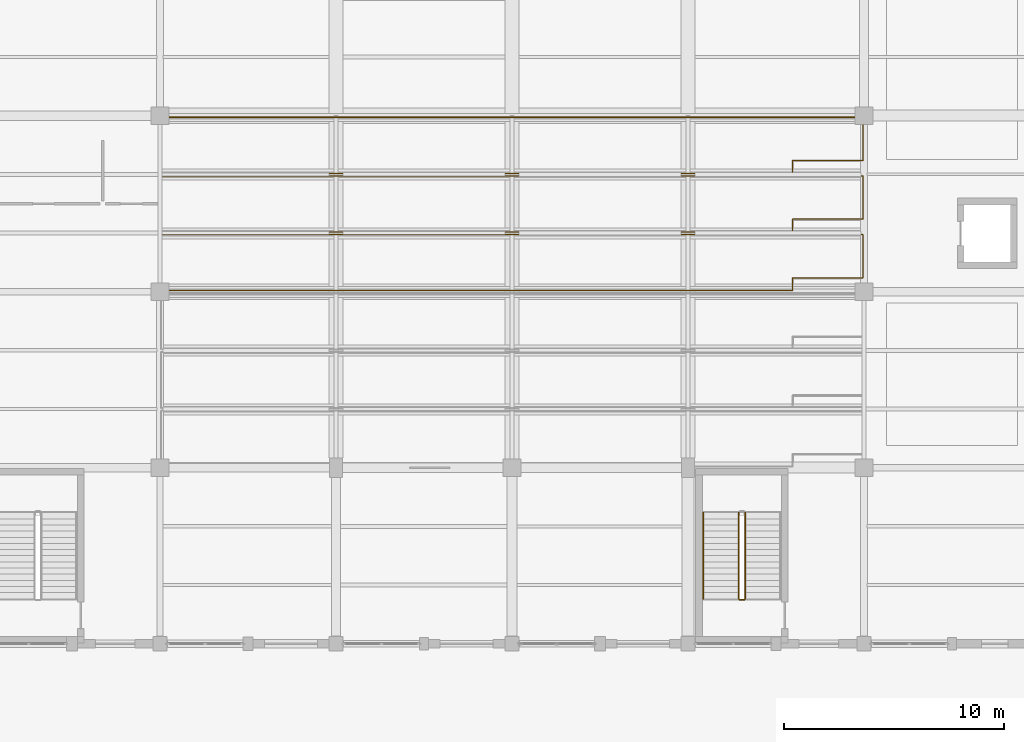
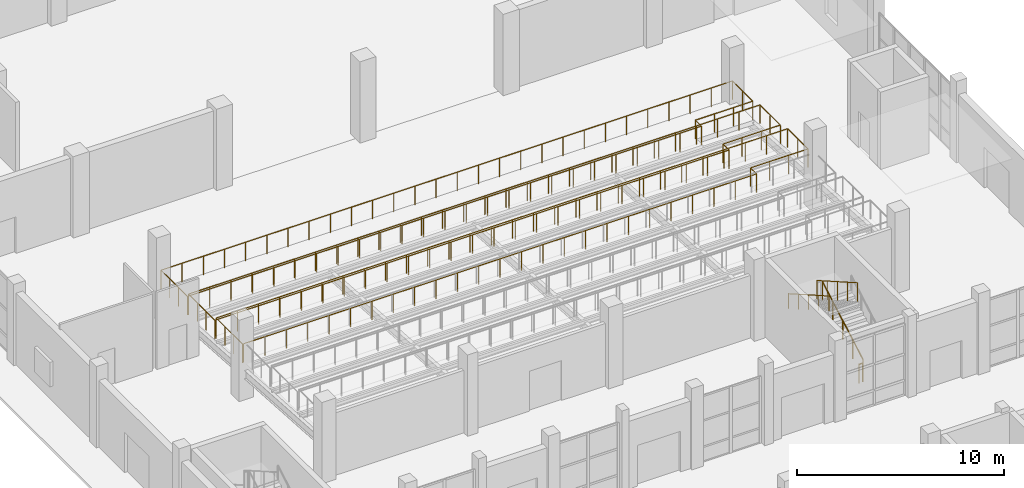
# One storey, part 140 of 156: 7 railings.
"""IFC4 building model written with IfcOpenShell, lengths in metres."""

from ifc_helpers import new_model, si_unit, direction, frame, origin, origin_2d, place, context, subcontext, project, spatial, circle, extrude, material, type_object, element, save


model = new_model("IFC4")

# Units and contexts
model_context = context("Model", 3, precision=1e-05, world=origin(), true_north=direction((0.0, 1.0)))
body_context = subcontext(model_context, "Body", "Model", "MODEL_VIEW")
ifc_project = project(units=[si_unit("LENGTHUNIT", "METRE"), si_unit("AREAUNIT", "SQUARE_METRE"), si_unit("VOLUMEUNIT", "CUBIC_METRE"), si_unit("PLANEANGLEUNIT", "RADIAN"), si_unit("MASSUNIT", "GRAM", prefix="KILO")], contexts=[model_context])

# Site, building, storey
site_placement = place(None, origin())
site = spatial("IfcSite", under=ifc_project, at=site_placement, CompositionType="ELEMENT")
building_placement = place(site_placement, origin())
building = spatial("IfcBuilding", under=site, at=building_placement, Name="Luwemba Playhouse", CompositionType="ELEMENT")
storey_placement = place(building_placement, origin())
storey = spatial("IfcBuildingStorey", under=building, at=storey_placement, Name="L00", CompositionType="ELEMENT", Elevation=0.0)

# Railings
ifc_material_1 = material(Name="Painted wrought-iron gallery balustrade", Category="steel")
railing_type_1 = type_object("IfcRailingType", Name="RLG-BAL-INT", PredefinedType="BALUSTRADE", material=ifc_material_1)
railing_1_placement = place(storey_placement, frame((38.60009765625, 38.0400390625, 0.159912109375)))
element("IfcRailing", 1, at=railing_1_placement, inside=storey, type_object=railing_type_1, Name="L00 ST-02 stair guard 1", PredefinedType="BALUSTRADE", context=body_context, shape_type="SweptSolid", body=[
    extrude(circle(Radius=0.02392578125, at=origin_2d()), frame((0.0, 0.0, 1.09619140625), z_axis=(0.0, 0.868239814368, 0.496144761885), x_axis=(-1.0, 0.0, 0.0)), (0.0, 0.0, 1.0), 4.514892578125),
    extrude(circle(Radius=0.02099609375, at=origin_2d()), origin(), (0.0, 0.0, 1.0), 1.072021484375),
    extrude(circle(Radius=0.02099609375, at=origin_2d()), frame((0.0, 0.97998046875, 0.56005859375)), (0.0, 0.0, 1.0), 1.072021484375),
    extrude(circle(Radius=0.02099609375, at=origin_2d()), frame((0.0, 1.9599609375, 1.1201171875)), (0.0, 0.0, 1.0), 1.072021484375),
    extrude(circle(Radius=0.02099609375, at=origin_2d()), frame((0.0, 2.93994140625, 1.679931640625)), (0.0, 0.0, 1.0), 1.072021484375),
    extrude(circle(Radius=0.02099609375, at=origin_2d()), frame((0.0, 3.919921875, 2.239990234375)), (0.0, 0.0, 1.0), 1.072021484375),
])
railing_2_placement = place(storey_placement, frame((38.300048828125, 41.9599609375, 2.56005859375)))
element("IfcRailing", 2, at=railing_2_placement, inside=storey, type_object=railing_type_1, Name="L00 ST-02 stair guard 3", PredefinedType="BALUSTRADE", context=body_context, shape_type="SweptSolid", body=[
    extrude(circle(Radius=0.02392578125, at=origin_2d()), frame((0.0, 0.0, 1.09619140625), z_axis=(0.0, -0.868239814368, 0.496144761885), x_axis=(1.0, 0.0, 0.0)), (0.0, 0.0, 1.0), 4.514892578125),
    extrude(circle(Radius=0.02099609375, at=origin_2d()), origin(), (0.0, 0.0, 1.0), 1.072021484375),
    extrude(circle(Radius=0.02099609375, at=origin_2d()), frame((0.0, -0.97998046875, 0.56005859375)), (0.0, 0.0, 1.0), 1.072021484375),
    extrude(circle(Radius=0.02099609375, at=origin_2d()), frame((0.0, -1.9599609375, 1.1201171875)), (0.0, 0.0, 1.0), 1.072021484375),
    extrude(circle(Radius=0.02099609375, at=origin_2d()), frame((0.0, -2.93994140625, 1.679931640625)), (0.0, 0.0, 1.0), 1.072021484375),
    extrude(circle(Radius=0.02099609375, at=origin_2d()), frame((0.0, -3.919921875, 2.239990234375)), (0.0, 0.0, 1.0), 1.072021484375),
])
railing_3_placement = place(storey_placement, frame((38.550048828125, 37.989990234375, 0.0)))
element("IfcRailing", 3, at=railing_3_placement, inside=storey, type_object=railing_type_1, Name="L00 ST-02 stair guard 4", PredefinedType="BALUSTRADE", context=body_context, shape_type="SweptSolid", body=[
    extrude(circle(Radius=0.02392578125, at=origin_2d()), frame((0.0, 0.0, 1.09619140625), z_axis=(-1.0, 0.0, 0.0), x_axis=(0.0, -1.0, 0.0)), (0.0, 0.0, 1.0), 0.199951171875),
    extrude(circle(Radius=0.02099609375, at=origin_2d()), origin(), (0.0, 0.0, 1.0), 1.072021484375),
    extrude(circle(Radius=0.02099609375, at=origin_2d()), frame((-0.199951171875, 0.0, 0.0)), (0.0, 0.0, 1.0), 1.072021484375),
])
railing_4_placement = place(storey_placement, frame((12.050048828125, 52.050048828125, 1.875)))
element("IfcRailing", 4, at=railing_4_placement, inside=storey, type_object=railing_type_1, Name="Stand Stalls Bay 4 perimeter balustrade", PredefinedType="BALUSTRADE", context=body_context, shape_type="SweptSolid", body=[
    extrude(circle(Radius=0.02392578125, at=origin_2d()), frame((0.0, 0.0, 1.09619140625), z_axis=(0.0, 1.0, 0.0), x_axis=(-1.0, 0.0, 0.0)), (0.0, 0.0, 1.0), 2.546630859375),
    extrude(circle(Radius=0.02392578125, at=origin_2d()), frame((0.0, 2.546630859375, 1.09619140625), z_axis=(1.0, 0.0, 0.0), x_axis=(0.0, 1.0, 0.0)), (0.0, 0.0, 1.0), 31.89990234375),
    extrude(circle(Radius=0.02392578125, at=origin_2d()), frame((31.89990234375, 2.546630859375, 1.09619140625), z_axis=(0.0, -1.0, 0.0), x_axis=(1.0, 0.0, 0.0)), (0.0, 0.0, 1.0), 1.96435546875),
    extrude(circle(Radius=0.02392578125, at=origin_2d()), frame((31.89990234375, 0.582275390625, 1.09619140625), z_axis=(-1.0, 0.0, 0.0), x_axis=(0.0, -1.0, 0.0)), (0.0, 0.0, 1.0), 3.199951171875),
    extrude(circle(Radius=0.02392578125, at=origin_2d()), frame((28.699951171875, 0.582275390625, 1.09619140625), z_axis=(0.0, -1.0, 0.0), x_axis=(1.0, 0.0, 0.0)), (0.0, 0.0, 1.0), 0.582275390625),
    extrude(circle(Radius=0.02392578125, at=origin_2d()), frame((28.699951171875, 0.0, 1.09619140625), z_axis=(-1.0, 0.0, 0.0), x_axis=(0.0, -1.0, 0.0)), (0.0, 0.0, 1.0), 28.639892578125),
    extrude(circle(Radius=0.02099609375, at=origin_2d()), origin(), (0.0, 0.0, 1.0), 1.072021484375),
    extrude(circle(Radius=0.02099609375, at=origin_2d()), frame((0.0, 0.848876953125, 0.0)), (0.0, 0.0, 1.0), 1.072021484375),
    extrude(circle(Radius=0.02099609375, at=origin_2d()), frame((0.0, 1.69775390625, 0.0)), (0.0, 0.0, 1.0), 1.072021484375),
    extrude(circle(Radius=0.02099609375, at=origin_2d()), frame((0.0, 2.546630859375, 0.0)), (0.0, 0.0, 1.0), 1.072021484375),
    extrude(circle(Radius=0.02099609375, at=origin_2d()), frame((1.181396484375, 2.546630859375, 0.0)), (0.0, 0.0, 1.0), 1.072021484375),
    extrude(circle(Radius=0.02099609375, at=origin_2d()), frame((2.363037109375, 2.546630859375, 0.0)), (0.0, 0.0, 1.0), 1.072021484375),
    extrude(circle(Radius=0.02099609375, at=origin_2d()), frame((3.54443359375, 2.546630859375, 0.0)), (0.0, 0.0, 1.0), 1.072021484375),
    extrude(circle(Radius=0.02099609375, at=origin_2d()), frame((4.725830078125, 2.546630859375, 0.0)), (0.0, 0.0, 1.0), 1.072021484375),
    extrude(circle(Radius=0.02099609375, at=origin_2d()), frame((5.907470703125, 2.546630859375, 0.0)), (0.0, 0.0, 1.0), 1.072021484375),
    extrude(circle(Radius=0.02099609375, at=origin_2d()), frame((7.0888671875, 2.546630859375, 0.0)), (0.0, 0.0, 1.0), 1.072021484375),
    extrude(circle(Radius=0.02099609375, at=origin_2d()), frame((8.270263671875, 2.546630859375, 0.0)), (0.0, 0.0, 1.0), 1.072021484375),
    extrude(circle(Radius=0.02099609375, at=origin_2d()), frame((9.451904296875, 2.546630859375, 0.0)), (0.0, 0.0, 1.0), 1.072021484375),
    extrude(circle(Radius=0.02099609375, at=origin_2d()), frame((10.63330078125, 2.546630859375, 0.0)), (0.0, 0.0, 1.0), 1.072021484375),
    extrude(circle(Radius=0.02099609375, at=origin_2d()), frame((11.814697265625, 2.546630859375, 0.0)), (0.0, 0.0, 1.0), 1.072021484375),
    extrude(circle(Radius=0.02099609375, at=origin_2d()), frame((12.996337890625, 2.546630859375, 0.0)), (0.0, 0.0, 1.0), 1.072021484375),
    extrude(circle(Radius=0.02099609375, at=origin_2d()), frame((14.177734375, 2.546630859375, 0.0)), (0.0, 0.0, 1.0), 1.072021484375),
    extrude(circle(Radius=0.02099609375, at=origin_2d()), frame((15.359130859375, 2.546630859375, 0.0)), (0.0, 0.0, 1.0), 1.072021484375),
    extrude(circle(Radius=0.02099609375, at=origin_2d()), frame((16.540771484375, 2.546630859375, 0.0)), (0.0, 0.0, 1.0), 1.072021484375),
    extrude(circle(Radius=0.02099609375, at=origin_2d()), frame((17.72216796875, 2.546630859375, 0.0)), (0.0, 0.0, 1.0), 1.072021484375),
    extrude(circle(Radius=0.02099609375, at=origin_2d()), frame((18.903564453125, 2.546630859375, 0.0)), (0.0, 0.0, 1.0), 1.072021484375),
    extrude(circle(Radius=0.02099609375, at=origin_2d()), frame((20.085205078125, 2.546630859375, 0.0)), (0.0, 0.0, 1.0), 1.072021484375),
    extrude(circle(Radius=0.02099609375, at=origin_2d()), frame((21.2666015625, 2.546630859375, 0.0)), (0.0, 0.0, 1.0), 1.072021484375),
    extrude(circle(Radius=0.02099609375, at=origin_2d()), frame((22.447998046875, 2.546630859375, 0.0)), (0.0, 0.0, 1.0), 1.072021484375),
    extrude(circle(Radius=0.02099609375, at=origin_2d()), frame((23.629638671875, 2.546630859375, 0.0)), (0.0, 0.0, 1.0), 1.072021484375),
    extrude(circle(Radius=0.02099609375, at=origin_2d()), frame((24.81103515625, 2.546630859375, 0.0)), (0.0, 0.0, 1.0), 1.072021484375),
    extrude(circle(Radius=0.02099609375, at=origin_2d()), frame((25.992431640625, 2.546630859375, 0.0)), (0.0, 0.0, 1.0), 1.072021484375),
    extrude(circle(Radius=0.02099609375, at=origin_2d()), frame((27.174072265625, 2.546630859375, 0.0)), (0.0, 0.0, 1.0), 1.072021484375),
    extrude(circle(Radius=0.02099609375, at=origin_2d()), frame((28.35546875, 2.546630859375, 0.0)), (0.0, 0.0, 1.0), 1.072021484375),
    extrude(circle(Radius=0.02099609375, at=origin_2d()), frame((29.536865234375, 2.546630859375, 0.0)), (0.0, 0.0, 1.0), 1.072021484375),
    extrude(circle(Radius=0.02099609375, at=origin_2d()), frame((30.718505859375, 2.546630859375, 0.0)), (0.0, 0.0, 1.0), 1.072021484375),
    extrude(circle(Radius=0.02099609375, at=origin_2d()), frame((31.89990234375, 2.546630859375, 0.0)), (0.0, 0.0, 1.0), 1.072021484375),
    extrude(circle(Radius=0.02099609375, at=origin_2d()), frame((31.89990234375, 1.564453125, 0.0)), (0.0, 0.0, 1.0), 1.072021484375),
    extrude(circle(Radius=0.02099609375, at=origin_2d()), frame((31.89990234375, 0.582275390625, 0.0)), (0.0, 0.0, 1.0), 1.072021484375),
    extrude(circle(Radius=0.02099609375, at=origin_2d()), frame((30.833251953125, 0.582275390625, 0.0)), (0.0, 0.0, 1.0), 1.072021484375),
    extrude(circle(Radius=0.02099609375, at=origin_2d()), frame((29.7666015625, 0.582275390625, 0.0)), (0.0, 0.0, 1.0), 1.072021484375),
    extrude(circle(Radius=0.02099609375, at=origin_2d()), frame((28.699951171875, 0.582275390625, 0.0)), (0.0, 0.0, 1.0), 1.072021484375),
    extrude(circle(Radius=0.02099609375, at=origin_2d()), frame((28.699951171875, 0.0, 0.0)), (0.0, 0.0, 1.0), 1.072021484375),
    extrude(circle(Radius=0.02099609375, at=origin_2d()), frame((27.506591796875, 0.0, 0.0)), (0.0, 0.0, 1.0), 1.072021484375),
    extrude(circle(Radius=0.02099609375, at=origin_2d()), frame((26.313232421875, 0.0, 0.0)), (0.0, 0.0, 1.0), 1.072021484375),
    extrude(circle(Radius=0.02099609375, at=origin_2d()), frame((25.119873046875, 0.0, 0.0)), (0.0, 0.0, 1.0), 1.072021484375),
    extrude(circle(Radius=0.02099609375, at=origin_2d()), frame((23.9267578125, 0.0, 0.0)), (0.0, 0.0, 1.0), 1.072021484375),
    extrude(circle(Radius=0.02099609375, at=origin_2d()), frame((22.7333984375, 0.0, 0.0)), (0.0, 0.0, 1.0), 1.072021484375),
    extrude(circle(Radius=0.02099609375, at=origin_2d()), frame((21.5400390625, 0.0, 0.0)), (0.0, 0.0, 1.0), 1.072021484375),
    extrude(circle(Radius=0.02099609375, at=origin_2d()), frame((20.3466796875, 0.0, 0.0)), (0.0, 0.0, 1.0), 1.072021484375),
    extrude(circle(Radius=0.02099609375, at=origin_2d()), frame((19.1533203125, 0.0, 0.0)), (0.0, 0.0, 1.0), 1.072021484375),
    extrude(circle(Radius=0.02099609375, at=origin_2d()), frame((17.9599609375, 0.0, 0.0)), (0.0, 0.0, 1.0), 1.072021484375),
    extrude(circle(Radius=0.02099609375, at=origin_2d()), frame((16.7666015625, 0.0, 0.0)), (0.0, 0.0, 1.0), 1.072021484375),
    extrude(circle(Radius=0.02099609375, at=origin_2d()), frame((15.5732421875, 0.0, 0.0)), (0.0, 0.0, 1.0), 1.072021484375),
    extrude(circle(Radius=0.02099609375, at=origin_2d()), frame((14.3798828125, 0.0, 0.0)), (0.0, 0.0, 1.0), 1.072021484375),
    extrude(circle(Radius=0.02099609375, at=origin_2d()), frame((13.186767578125, 0.0, 0.0)), (0.0, 0.0, 1.0), 1.072021484375),
    extrude(circle(Radius=0.02099609375, at=origin_2d()), frame((11.993408203125, 0.0, 0.0)), (0.0, 0.0, 1.0), 1.072021484375),
    extrude(circle(Radius=0.02099609375, at=origin_2d()), frame((10.800048828125, 0.0, 0.0)), (0.0, 0.0, 1.0), 1.072021484375),
    extrude(circle(Radius=0.02099609375, at=origin_2d()), frame((9.606689453125, 0.0, 0.0)), (0.0, 0.0, 1.0), 1.072021484375),
    extrude(circle(Radius=0.02099609375, at=origin_2d()), frame((8.413330078125, 0.0, 0.0)), (0.0, 0.0, 1.0), 1.072021484375),
    extrude(circle(Radius=0.02099609375, at=origin_2d()), frame((7.219970703125, 0.0, 0.0)), (0.0, 0.0, 1.0), 1.072021484375),
    extrude(circle(Radius=0.02099609375, at=origin_2d()), frame((6.026611328125, 0.0, 0.0)), (0.0, 0.0, 1.0), 1.072021484375),
    extrude(circle(Radius=0.02099609375, at=origin_2d()), frame((4.83349609375, 0.0, 0.0)), (0.0, 0.0, 1.0), 1.072021484375),
    extrude(circle(Radius=0.02099609375, at=origin_2d()), frame((3.64013671875, 0.0, 0.0)), (0.0, 0.0, 1.0), 1.072021484375),
    extrude(circle(Radius=0.02099609375, at=origin_2d()), frame((2.44677734375, 0.0, 0.0)), (0.0, 0.0, 1.0), 1.072021484375),
    extrude(circle(Radius=0.02099609375, at=origin_2d()), frame((1.25341796875, 0.0, 0.0)), (0.0, 0.0, 1.0), 1.072021484375),
    extrude(circle(Radius=0.02099609375, at=origin_2d()), frame((0.06005859375, 0.0, 0.0)), (0.0, 0.0, 1.0), 1.072021484375),
])
railing_5_placement = place(storey_placement, frame((12.050048828125, 54.716796875, 1.666748046875)))
element("IfcRailing", 5, at=railing_5_placement, inside=storey, type_object=railing_type_1, Name="Stand Stalls Bay 5 perimeter balustrade", PredefinedType="BALUSTRADE", context=body_context, shape_type="SweptSolid", body=[
    extrude(circle(Radius=0.02392578125, at=origin_2d()), frame((0.0, 0.0, 1.09619140625), z_axis=(0.0, 1.0, 0.0), x_axis=(-1.0, 0.0, 0.0)), (0.0, 0.0, 1.0), 2.546630859375),
    extrude(circle(Radius=0.02392578125, at=origin_2d()), frame((0.0, 2.546630859375, 1.09619140625), z_axis=(1.0, 0.0, 0.0), x_axis=(0.0, 1.0, 0.0)), (0.0, 0.0, 1.0), 31.89990234375),
    extrude(circle(Radius=0.02392578125, at=origin_2d()), frame((31.89990234375, 2.546630859375, 1.09619140625), z_axis=(0.0, -1.0, 0.0), x_axis=(1.0, 0.0, 0.0)), (0.0, 0.0, 1.0), 1.96435546875),
    extrude(circle(Radius=0.02392578125, at=origin_2d()), frame((31.89990234375, 0.582275390625, 1.09619140625), z_axis=(-1.0, 0.0, 0.0), x_axis=(0.0, -1.0, 0.0)), (0.0, 0.0, 1.0), 3.199951171875),
    extrude(circle(Radius=0.02392578125, at=origin_2d()), frame((28.699951171875, 0.582275390625, 1.09619140625), z_axis=(0.0, -1.0, 0.0), x_axis=(1.0, 0.0, 0.0)), (0.0, 0.0, 1.0), 0.582275390625),
    extrude(circle(Radius=0.02392578125, at=origin_2d()), frame((28.699951171875, 0.0, 1.09619140625), z_axis=(-1.0, 0.0, 0.0), x_axis=(0.0, -1.0, 0.0)), (0.0, 0.0, 1.0), 28.639892578125),
    extrude(circle(Radius=0.02099609375, at=origin_2d()), origin(), (0.0, 0.0, 1.0), 1.072021484375),
    extrude(circle(Radius=0.02099609375, at=origin_2d()), frame((0.0, 0.848876953125, 0.0)), (0.0, 0.0, 1.0), 1.072021484375),
    extrude(circle(Radius=0.02099609375, at=origin_2d()), frame((0.0, 1.69775390625, 0.0)), (0.0, 0.0, 1.0), 1.072021484375),
    extrude(circle(Radius=0.02099609375, at=origin_2d()), frame((0.0, 2.546630859375, 0.0)), (0.0, 0.0, 1.0), 1.072021484375),
    extrude(circle(Radius=0.02099609375, at=origin_2d()), frame((1.181396484375, 2.546630859375, 0.0)), (0.0, 0.0, 1.0), 1.072021484375),
    extrude(circle(Radius=0.02099609375, at=origin_2d()), frame((2.363037109375, 2.546630859375, 0.0)), (0.0, 0.0, 1.0), 1.072021484375),
    extrude(circle(Radius=0.02099609375, at=origin_2d()), frame((3.54443359375, 2.546630859375, 0.0)), (0.0, 0.0, 1.0), 1.072021484375),
    extrude(circle(Radius=0.02099609375, at=origin_2d()), frame((4.725830078125, 2.546630859375, 0.0)), (0.0, 0.0, 1.0), 1.072021484375),
    extrude(circle(Radius=0.02099609375, at=origin_2d()), frame((5.907470703125, 2.546630859375, 0.0)), (0.0, 0.0, 1.0), 1.072021484375),
    extrude(circle(Radius=0.02099609375, at=origin_2d()), frame((7.0888671875, 2.546630859375, 0.0)), (0.0, 0.0, 1.0), 1.072021484375),
    extrude(circle(Radius=0.02099609375, at=origin_2d()), frame((8.270263671875, 2.546630859375, 0.0)), (0.0, 0.0, 1.0), 1.072021484375),
    extrude(circle(Radius=0.02099609375, at=origin_2d()), frame((9.451904296875, 2.546630859375, 0.0)), (0.0, 0.0, 1.0), 1.072021484375),
    extrude(circle(Radius=0.02099609375, at=origin_2d()), frame((10.63330078125, 2.546630859375, 0.0)), (0.0, 0.0, 1.0), 1.072021484375),
    extrude(circle(Radius=0.02099609375, at=origin_2d()), frame((11.814697265625, 2.546630859375, 0.0)), (0.0, 0.0, 1.0), 1.072021484375),
    extrude(circle(Radius=0.02099609375, at=origin_2d()), frame((12.996337890625, 2.546630859375, 0.0)), (0.0, 0.0, 1.0), 1.072021484375),
    extrude(circle(Radius=0.02099609375, at=origin_2d()), frame((14.177734375, 2.546630859375, 0.0)), (0.0, 0.0, 1.0), 1.072021484375),
    extrude(circle(Radius=0.02099609375, at=origin_2d()), frame((15.359130859375, 2.546630859375, 0.0)), (0.0, 0.0, 1.0), 1.072021484375),
    extrude(circle(Radius=0.02099609375, at=origin_2d()), frame((16.540771484375, 2.546630859375, 0.0)), (0.0, 0.0, 1.0), 1.072021484375),
    extrude(circle(Radius=0.02099609375, at=origin_2d()), frame((17.72216796875, 2.546630859375, 0.0)), (0.0, 0.0, 1.0), 1.072021484375),
    extrude(circle(Radius=0.02099609375, at=origin_2d()), frame((18.903564453125, 2.546630859375, 0.0)), (0.0, 0.0, 1.0), 1.072021484375),
    extrude(circle(Radius=0.02099609375, at=origin_2d()), frame((20.085205078125, 2.546630859375, 0.0)), (0.0, 0.0, 1.0), 1.072021484375),
    extrude(circle(Radius=0.02099609375, at=origin_2d()), frame((21.2666015625, 2.546630859375, 0.0)), (0.0, 0.0, 1.0), 1.072021484375),
    extrude(circle(Radius=0.02099609375, at=origin_2d()), frame((22.447998046875, 2.546630859375, 0.0)), (0.0, 0.0, 1.0), 1.072021484375),
    extrude(circle(Radius=0.02099609375, at=origin_2d()), frame((23.629638671875, 2.546630859375, 0.0)), (0.0, 0.0, 1.0), 1.072021484375),
    extrude(circle(Radius=0.02099609375, at=origin_2d()), frame((24.81103515625, 2.546630859375, 0.0)), (0.0, 0.0, 1.0), 1.072021484375),
    extrude(circle(Radius=0.02099609375, at=origin_2d()), frame((25.992431640625, 2.546630859375, 0.0)), (0.0, 0.0, 1.0), 1.072021484375),
    extrude(circle(Radius=0.02099609375, at=origin_2d()), frame((27.174072265625, 2.546630859375, 0.0)), (0.0, 0.0, 1.0), 1.072021484375),
    extrude(circle(Radius=0.02099609375, at=origin_2d()), frame((28.35546875, 2.546630859375, 0.0)), (0.0, 0.0, 1.0), 1.072021484375),
    extrude(circle(Radius=0.02099609375, at=origin_2d()), frame((29.536865234375, 2.546630859375, 0.0)), (0.0, 0.0, 1.0), 1.072021484375),
    extrude(circle(Radius=0.02099609375, at=origin_2d()), frame((30.718505859375, 2.546630859375, 0.0)), (0.0, 0.0, 1.0), 1.072021484375),
    extrude(circle(Radius=0.02099609375, at=origin_2d()), frame((31.89990234375, 2.546630859375, 0.0)), (0.0, 0.0, 1.0), 1.072021484375),
    extrude(circle(Radius=0.02099609375, at=origin_2d()), frame((31.89990234375, 1.564453125, 0.0)), (0.0, 0.0, 1.0), 1.072021484375),
    extrude(circle(Radius=0.02099609375, at=origin_2d()), frame((31.89990234375, 0.582275390625, 0.0)), (0.0, 0.0, 1.0), 1.072021484375),
    extrude(circle(Radius=0.02099609375, at=origin_2d()), frame((30.833251953125, 0.582275390625, 0.0)), (0.0, 0.0, 1.0), 1.072021484375),
    extrude(circle(Radius=0.02099609375, at=origin_2d()), frame((29.7666015625, 0.582275390625, 0.0)), (0.0, 0.0, 1.0), 1.072021484375),
    extrude(circle(Radius=0.02099609375, at=origin_2d()), frame((28.699951171875, 0.582275390625, 0.0)), (0.0, 0.0, 1.0), 1.072021484375),
    extrude(circle(Radius=0.02099609375, at=origin_2d()), frame((28.699951171875, 0.0, 0.0)), (0.0, 0.0, 1.0), 1.072021484375),
    extrude(circle(Radius=0.02099609375, at=origin_2d()), frame((27.506591796875, 0.0, 0.0)), (0.0, 0.0, 1.0), 1.072021484375),
    extrude(circle(Radius=0.02099609375, at=origin_2d()), frame((26.313232421875, 0.0, 0.0)), (0.0, 0.0, 1.0), 1.072021484375),
    extrude(circle(Radius=0.02099609375, at=origin_2d()), frame((25.119873046875, 0.0, 0.0)), (0.0, 0.0, 1.0), 1.072021484375),
    extrude(circle(Radius=0.02099609375, at=origin_2d()), frame((23.9267578125, 0.0, 0.0)), (0.0, 0.0, 1.0), 1.072021484375),
    extrude(circle(Radius=0.02099609375, at=origin_2d()), frame((22.7333984375, 0.0, 0.0)), (0.0, 0.0, 1.0), 1.072021484375),
    extrude(circle(Radius=0.02099609375, at=origin_2d()), frame((21.5400390625, 0.0, 0.0)), (0.0, 0.0, 1.0), 1.072021484375),
    extrude(circle(Radius=0.02099609375, at=origin_2d()), frame((20.3466796875, 0.0, 0.0)), (0.0, 0.0, 1.0), 1.072021484375),
    extrude(circle(Radius=0.02099609375, at=origin_2d()), frame((19.1533203125, 0.0, 0.0)), (0.0, 0.0, 1.0), 1.072021484375),
    extrude(circle(Radius=0.02099609375, at=origin_2d()), frame((17.9599609375, 0.0, 0.0)), (0.0, 0.0, 1.0), 1.072021484375),
    extrude(circle(Radius=0.02099609375, at=origin_2d()), frame((16.7666015625, 0.0, 0.0)), (0.0, 0.0, 1.0), 1.072021484375),
    extrude(circle(Radius=0.02099609375, at=origin_2d()), frame((15.5732421875, 0.0, 0.0)), (0.0, 0.0, 1.0), 1.072021484375),
    extrude(circle(Radius=0.02099609375, at=origin_2d()), frame((14.3798828125, 0.0, 0.0)), (0.0, 0.0, 1.0), 1.072021484375),
    extrude(circle(Radius=0.02099609375, at=origin_2d()), frame((13.186767578125, 0.0, 0.0)), (0.0, 0.0, 1.0), 1.072021484375),
    extrude(circle(Radius=0.02099609375, at=origin_2d()), frame((11.993408203125, 0.0, 0.0)), (0.0, 0.0, 1.0), 1.072021484375),
    extrude(circle(Radius=0.02099609375, at=origin_2d()), frame((10.800048828125, 0.0, 0.0)), (0.0, 0.0, 1.0), 1.072021484375),
    extrude(circle(Radius=0.02099609375, at=origin_2d()), frame((9.606689453125, 0.0, 0.0)), (0.0, 0.0, 1.0), 1.072021484375),
    extrude(circle(Radius=0.02099609375, at=origin_2d()), frame((8.413330078125, 0.0, 0.0)), (0.0, 0.0, 1.0), 1.072021484375),
    extrude(circle(Radius=0.02099609375, at=origin_2d()), frame((7.219970703125, 0.0, 0.0)), (0.0, 0.0, 1.0), 1.072021484375),
    extrude(circle(Radius=0.02099609375, at=origin_2d()), frame((6.026611328125, 0.0, 0.0)), (0.0, 0.0, 1.0), 1.072021484375),
    extrude(circle(Radius=0.02099609375, at=origin_2d()), frame((4.83349609375, 0.0, 0.0)), (0.0, 0.0, 1.0), 1.072021484375),
    extrude(circle(Radius=0.02099609375, at=origin_2d()), frame((3.64013671875, 0.0, 0.0)), (0.0, 0.0, 1.0), 1.072021484375),
    extrude(circle(Radius=0.02099609375, at=origin_2d()), frame((2.44677734375, 0.0, 0.0)), (0.0, 0.0, 1.0), 1.072021484375),
    extrude(circle(Radius=0.02099609375, at=origin_2d()), frame((1.25341796875, 0.0, 0.0)), (0.0, 0.0, 1.0), 1.072021484375),
    extrude(circle(Radius=0.02099609375, at=origin_2d()), frame((0.06005859375, 0.0, 0.0)), (0.0, 0.0, 1.0), 1.072021484375),
])
railing_6_placement = place(storey_placement, frame((12.050048828125, 57.38330078125, 1.458251953125)))
element("IfcRailing", 6, at=railing_6_placement, inside=storey, type_object=railing_type_1, Name="Stand Stalls Bay 6 perimeter balustrade", PredefinedType="BALUSTRADE", context=body_context, shape_type="SweptSolid", body=[
    extrude(circle(Radius=0.02392578125, at=origin_2d()), frame((0.0, 0.0, 1.09619140625), z_axis=(0.0, 1.0, 0.0), x_axis=(-1.0, 0.0, 0.0)), (0.0, 0.0, 1.0), 2.546630859375),
    extrude(circle(Radius=0.02392578125, at=origin_2d()), frame((0.0, 2.546630859375, 1.09619140625), z_axis=(1.0, 0.0, 0.0), x_axis=(0.0, 1.0, 0.0)), (0.0, 0.0, 1.0), 31.89990234375),
    extrude(circle(Radius=0.02392578125, at=origin_2d()), frame((31.89990234375, 2.546630859375, 1.09619140625), z_axis=(0.0, -1.0, 0.0), x_axis=(1.0, 0.0, 0.0)), (0.0, 0.0, 1.0), 1.96435546875),
    extrude(circle(Radius=0.02392578125, at=origin_2d()), frame((31.89990234375, 0.582275390625, 1.09619140625), z_axis=(-1.0, 0.0, 0.0), x_axis=(0.0, -1.0, 0.0)), (0.0, 0.0, 1.0), 3.199951171875),
    extrude(circle(Radius=0.02392578125, at=origin_2d()), frame((28.699951171875, 0.582275390625, 1.09619140625), z_axis=(0.0, -1.0, 0.0), x_axis=(1.0, 0.0, 0.0)), (0.0, 0.0, 1.0), 0.582275390625),
    extrude(circle(Radius=0.02392578125, at=origin_2d()), frame((28.699951171875, 0.0, 1.09619140625), z_axis=(-1.0, 0.0, 0.0), x_axis=(0.0, -1.0, 0.0)), (0.0, 0.0, 1.0), 28.639892578125),
    extrude(circle(Radius=0.02099609375, at=origin_2d()), origin(), (0.0, 0.0, 1.0), 1.072021484375),
    extrude(circle(Radius=0.02099609375, at=origin_2d()), frame((0.0, 0.848876953125, 0.0)), (0.0, 0.0, 1.0), 1.072021484375),
    extrude(circle(Radius=0.02099609375, at=origin_2d()), frame((0.0, 1.69775390625, 0.0)), (0.0, 0.0, 1.0), 1.072021484375),
    extrude(circle(Radius=0.02099609375, at=origin_2d()), frame((0.0, 2.546630859375, 0.0)), (0.0, 0.0, 1.0), 1.072021484375),
    extrude(circle(Radius=0.02099609375, at=origin_2d()), frame((1.181396484375, 2.546630859375, 0.0)), (0.0, 0.0, 1.0), 1.072021484375),
    extrude(circle(Radius=0.02099609375, at=origin_2d()), frame((2.363037109375, 2.546630859375, 0.0)), (0.0, 0.0, 1.0), 1.072021484375),
    extrude(circle(Radius=0.02099609375, at=origin_2d()), frame((3.54443359375, 2.546630859375, 0.0)), (0.0, 0.0, 1.0), 1.072021484375),
    extrude(circle(Radius=0.02099609375, at=origin_2d()), frame((4.725830078125, 2.546630859375, 0.0)), (0.0, 0.0, 1.0), 1.072021484375),
    extrude(circle(Radius=0.02099609375, at=origin_2d()), frame((5.907470703125, 2.546630859375, 0.0)), (0.0, 0.0, 1.0), 1.072021484375),
    extrude(circle(Radius=0.02099609375, at=origin_2d()), frame((7.0888671875, 2.546630859375, 0.0)), (0.0, 0.0, 1.0), 1.072021484375),
    extrude(circle(Radius=0.02099609375, at=origin_2d()), frame((8.270263671875, 2.546630859375, 0.0)), (0.0, 0.0, 1.0), 1.072021484375),
    extrude(circle(Radius=0.02099609375, at=origin_2d()), frame((9.451904296875, 2.546630859375, 0.0)), (0.0, 0.0, 1.0), 1.072021484375),
    extrude(circle(Radius=0.02099609375, at=origin_2d()), frame((10.63330078125, 2.546630859375, 0.0)), (0.0, 0.0, 1.0), 1.072021484375),
    extrude(circle(Radius=0.02099609375, at=origin_2d()), frame((11.814697265625, 2.546630859375, 0.0)), (0.0, 0.0, 1.0), 1.072021484375),
    extrude(circle(Radius=0.02099609375, at=origin_2d()), frame((12.996337890625, 2.546630859375, 0.0)), (0.0, 0.0, 1.0), 1.072021484375),
    extrude(circle(Radius=0.02099609375, at=origin_2d()), frame((14.177734375, 2.546630859375, 0.0)), (0.0, 0.0, 1.0), 1.072021484375),
    extrude(circle(Radius=0.02099609375, at=origin_2d()), frame((15.359130859375, 2.546630859375, 0.0)), (0.0, 0.0, 1.0), 1.072021484375),
    extrude(circle(Radius=0.02099609375, at=origin_2d()), frame((16.540771484375, 2.546630859375, 0.0)), (0.0, 0.0, 1.0), 1.072021484375),
    extrude(circle(Radius=0.02099609375, at=origin_2d()), frame((17.72216796875, 2.546630859375, 0.0)), (0.0, 0.0, 1.0), 1.072021484375),
    extrude(circle(Radius=0.02099609375, at=origin_2d()), frame((18.903564453125, 2.546630859375, 0.0)), (0.0, 0.0, 1.0), 1.072021484375),
    extrude(circle(Radius=0.02099609375, at=origin_2d()), frame((20.085205078125, 2.546630859375, 0.0)), (0.0, 0.0, 1.0), 1.072021484375),
    extrude(circle(Radius=0.02099609375, at=origin_2d()), frame((21.2666015625, 2.546630859375, 0.0)), (0.0, 0.0, 1.0), 1.072021484375),
    extrude(circle(Radius=0.02099609375, at=origin_2d()), frame((22.447998046875, 2.546630859375, 0.0)), (0.0, 0.0, 1.0), 1.072021484375),
    extrude(circle(Radius=0.02099609375, at=origin_2d()), frame((23.629638671875, 2.546630859375, 0.0)), (0.0, 0.0, 1.0), 1.072021484375),
    extrude(circle(Radius=0.02099609375, at=origin_2d()), frame((24.81103515625, 2.546630859375, 0.0)), (0.0, 0.0, 1.0), 1.072021484375),
    extrude(circle(Radius=0.02099609375, at=origin_2d()), frame((25.992431640625, 2.546630859375, 0.0)), (0.0, 0.0, 1.0), 1.072021484375),
    extrude(circle(Radius=0.02099609375, at=origin_2d()), frame((27.174072265625, 2.546630859375, 0.0)), (0.0, 0.0, 1.0), 1.072021484375),
    extrude(circle(Radius=0.02099609375, at=origin_2d()), frame((28.35546875, 2.546630859375, 0.0)), (0.0, 0.0, 1.0), 1.072021484375),
    extrude(circle(Radius=0.02099609375, at=origin_2d()), frame((29.536865234375, 2.546630859375, 0.0)), (0.0, 0.0, 1.0), 1.072021484375),
    extrude(circle(Radius=0.02099609375, at=origin_2d()), frame((30.718505859375, 2.546630859375, 0.0)), (0.0, 0.0, 1.0), 1.072021484375),
    extrude(circle(Radius=0.02099609375, at=origin_2d()), frame((31.89990234375, 2.546630859375, 0.0)), (0.0, 0.0, 1.0), 1.072021484375),
    extrude(circle(Radius=0.02099609375, at=origin_2d()), frame((31.89990234375, 1.564453125, 0.0)), (0.0, 0.0, 1.0), 1.072021484375),
    extrude(circle(Radius=0.02099609375, at=origin_2d()), frame((31.89990234375, 0.582275390625, 0.0)), (0.0, 0.0, 1.0), 1.072021484375),
    extrude(circle(Radius=0.02099609375, at=origin_2d()), frame((30.833251953125, 0.582275390625, 0.0)), (0.0, 0.0, 1.0), 1.072021484375),
    extrude(circle(Radius=0.02099609375, at=origin_2d()), frame((29.7666015625, 0.582275390625, 0.0)), (0.0, 0.0, 1.0), 1.072021484375),
    extrude(circle(Radius=0.02099609375, at=origin_2d()), frame((28.699951171875, 0.582275390625, 0.0)), (0.0, 0.0, 1.0), 1.072021484375),
    extrude(circle(Radius=0.02099609375, at=origin_2d()), frame((28.699951171875, 0.0, 0.0)), (0.0, 0.0, 1.0), 1.072021484375),
    extrude(circle(Radius=0.02099609375, at=origin_2d()), frame((27.506591796875, 0.0, 0.0)), (0.0, 0.0, 1.0), 1.072021484375),
    extrude(circle(Radius=0.02099609375, at=origin_2d()), frame((26.313232421875, 0.0, 0.0)), (0.0, 0.0, 1.0), 1.072021484375),
    extrude(circle(Radius=0.02099609375, at=origin_2d()), frame((25.119873046875, 0.0, 0.0)), (0.0, 0.0, 1.0), 1.072021484375),
    extrude(circle(Radius=0.02099609375, at=origin_2d()), frame((23.9267578125, 0.0, 0.0)), (0.0, 0.0, 1.0), 1.072021484375),
    extrude(circle(Radius=0.02099609375, at=origin_2d()), frame((22.7333984375, 0.0, 0.0)), (0.0, 0.0, 1.0), 1.072021484375),
    extrude(circle(Radius=0.02099609375, at=origin_2d()), frame((21.5400390625, 0.0, 0.0)), (0.0, 0.0, 1.0), 1.072021484375),
    extrude(circle(Radius=0.02099609375, at=origin_2d()), frame((20.3466796875, 0.0, 0.0)), (0.0, 0.0, 1.0), 1.072021484375),
    extrude(circle(Radius=0.02099609375, at=origin_2d()), frame((19.1533203125, 0.0, 0.0)), (0.0, 0.0, 1.0), 1.072021484375),
    extrude(circle(Radius=0.02099609375, at=origin_2d()), frame((17.9599609375, 0.0, 0.0)), (0.0, 0.0, 1.0), 1.072021484375),
    extrude(circle(Radius=0.02099609375, at=origin_2d()), frame((16.7666015625, 0.0, 0.0)), (0.0, 0.0, 1.0), 1.072021484375),
    extrude(circle(Radius=0.02099609375, at=origin_2d()), frame((15.5732421875, 0.0, 0.0)), (0.0, 0.0, 1.0), 1.072021484375),
    extrude(circle(Radius=0.02099609375, at=origin_2d()), frame((14.3798828125, 0.0, 0.0)), (0.0, 0.0, 1.0), 1.072021484375),
    extrude(circle(Radius=0.02099609375, at=origin_2d()), frame((13.186767578125, 0.0, 0.0)), (0.0, 0.0, 1.0), 1.072021484375),
    extrude(circle(Radius=0.02099609375, at=origin_2d()), frame((11.993408203125, 0.0, 0.0)), (0.0, 0.0, 1.0), 1.072021484375),
    extrude(circle(Radius=0.02099609375, at=origin_2d()), frame((10.800048828125, 0.0, 0.0)), (0.0, 0.0, 1.0), 1.072021484375),
    extrude(circle(Radius=0.02099609375, at=origin_2d()), frame((9.606689453125, 0.0, 0.0)), (0.0, 0.0, 1.0), 1.072021484375),
    extrude(circle(Radius=0.02099609375, at=origin_2d()), frame((8.413330078125, 0.0, 0.0)), (0.0, 0.0, 1.0), 1.072021484375),
    extrude(circle(Radius=0.02099609375, at=origin_2d()), frame((7.219970703125, 0.0, 0.0)), (0.0, 0.0, 1.0), 1.072021484375),
    extrude(circle(Radius=0.02099609375, at=origin_2d()), frame((6.026611328125, 0.0, 0.0)), (0.0, 0.0, 1.0), 1.072021484375),
    extrude(circle(Radius=0.02099609375, at=origin_2d()), frame((4.83349609375, 0.0, 0.0)), (0.0, 0.0, 1.0), 1.072021484375),
    extrude(circle(Radius=0.02099609375, at=origin_2d()), frame((3.64013671875, 0.0, 0.0)), (0.0, 0.0, 1.0), 1.072021484375),
    extrude(circle(Radius=0.02099609375, at=origin_2d()), frame((2.44677734375, 0.0, 0.0)), (0.0, 0.0, 1.0), 1.072021484375),
    extrude(circle(Radius=0.02099609375, at=origin_2d()), frame((1.25341796875, 0.0, 0.0)), (0.0, 0.0, 1.0), 1.072021484375),
    extrude(circle(Radius=0.02099609375, at=origin_2d()), frame((0.06005859375, 0.0, 0.0)), (0.0, 0.0, 1.0), 1.072021484375),
])
ifc_material_2 = material(Name="Hardwood and bronze handrail", Category="wood")
railing_type_2 = type_object("IfcRailingType", Name="RLG-HR-INT", PredefinedType="HANDRAIL", material=ifc_material_2)
railing_7_placement = place(storey_placement, frame((36.699951171875, 41.9599609375, 2.56005859375)))
element("IfcRailing", 7, at=railing_7_placement, inside=storey, type_object=railing_type_2, Name="L00 ST-02 stair handrail 2", PredefinedType="HANDRAIL", context=body_context, shape_type="SweptSolid", body=[
    extrude(circle(Radius=0.02392578125, at=origin_2d()), frame((0.0, 0.0, 0.8759765625), z_axis=(0.0, -0.868239814368, 0.496144761885), x_axis=(1.0, 0.0, 0.0)), (0.0, 0.0, 1.0), 4.514892578125),
    extrude(circle(Radius=0.02099609375, at=origin_2d()), origin(), (0.0, 0.0, 1.0), 0.851806640625),
    extrude(circle(Radius=0.02099609375, at=origin_2d()), frame((0.0, -0.97998046875, 0.56005859375)), (0.0, 0.0, 1.0), 0.851806640625),
    extrude(circle(Radius=0.02099609375, at=origin_2d()), frame((0.0, -1.9599609375, 1.1201171875)), (0.0, 0.0, 1.0), 0.851806640625),
    extrude(circle(Radius=0.02099609375, at=origin_2d()), frame((0.0, -2.93994140625, 1.679931640625)), (0.0, 0.0, 1.0), 0.851806640625),
    extrude(circle(Radius=0.02099609375, at=origin_2d()), frame((0.0, -3.919921875, 2.239990234375)), (0.0, 0.0, 1.0), 0.851806640625),
])

save(model, "model.ifc")
